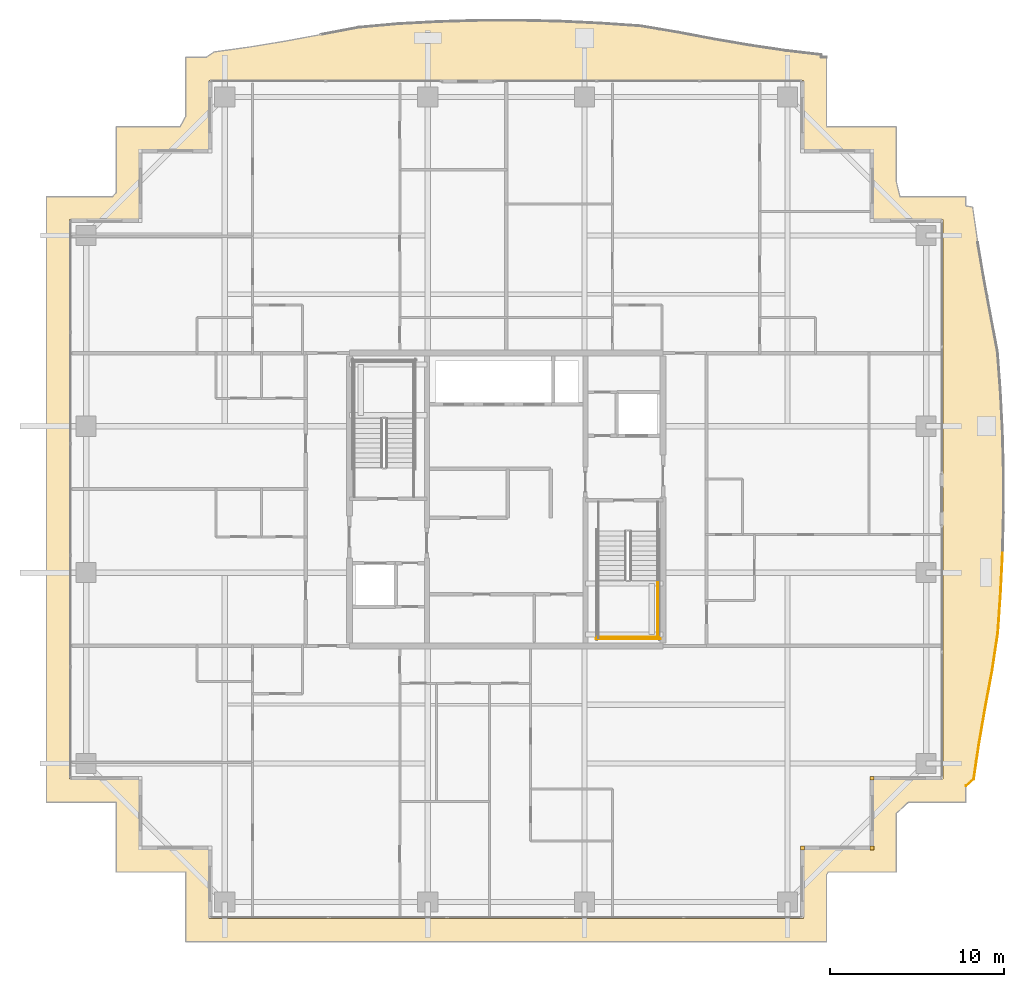
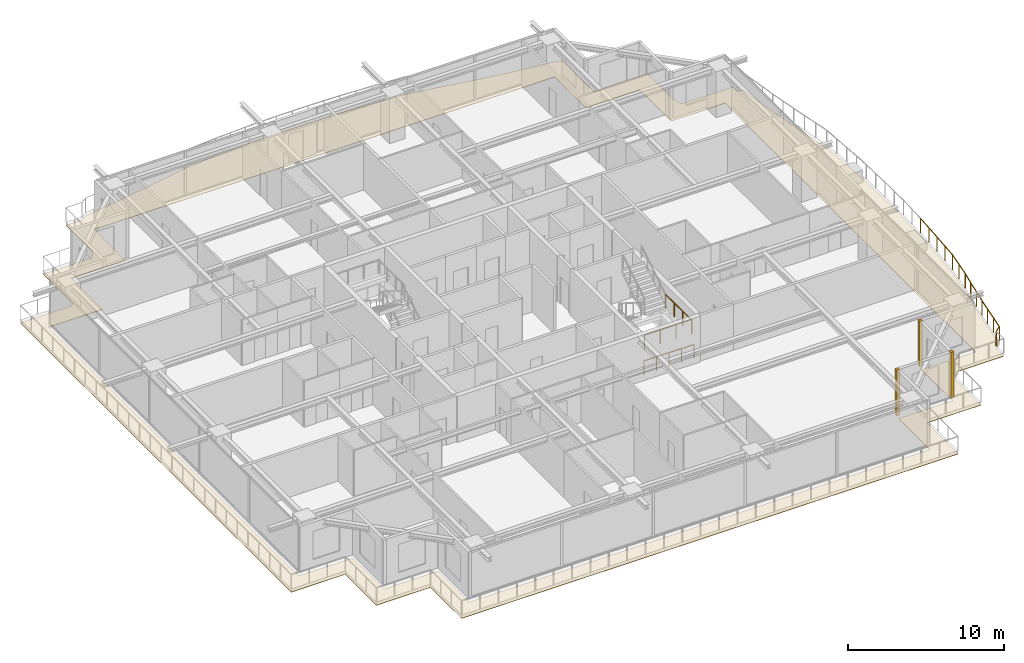
# One storey, part 35 of 37: 4 coverings, 4 railings.
"""IFC4 building model written with IfcOpenShell, lengths in metres."""

from ifc_helpers import new_model, si_unit, direction, frame, origin, origin_2d, place, context, subcontext, project, spatial, polyline, rectangle, circle, outline, extrude, source, transform, mapped, material, layer, layer_set, type_object, element, save


model = new_model("IFC4")

# Units and contexts
model_context = context("Model", 3, precision=1e-05, world=origin(), true_north=direction((0.0, 1.0)))
body_context = subcontext(model_context, "Body", "Model", "MODEL_VIEW")
ifc_project = project(units=[si_unit("LENGTHUNIT", "METRE"), si_unit("AREAUNIT", "SQUARE_METRE"), si_unit("VOLUMEUNIT", "CUBIC_METRE"), si_unit("PLANEANGLEUNIT", "RADIAN"), si_unit("MASSUNIT", "GRAM", prefix="KILO")], contexts=[model_context])

# Site, building, storey
site_placement = place(None, origin())
site = spatial("IfcSite", under=ifc_project, at=site_placement, CompositionType="ELEMENT")
building_placement = place(site_placement, origin())
building = spatial("IfcBuilding", under=site, at=building_placement, Name="Serunith Strait Residences", CompositionType="ELEMENT")
storey_placement = place(building_placement, frame((0.0, 0.0, 233.550048828125)))
storey = spatial("IfcBuildingStorey", under=building, at=storey_placement, Name="L58", CompositionType="ELEMENT", Elevation=233.550048828125)

# Covering
ifc_material_1 = material(Name="Golden Teak Exterior Timber Boarding", Category="wood")
ifc_layer_1 = layer(ifc_material_1, 0.034912109375, Name="Golden Teak Exterior Timber Boarding")
ifc_layer_set_1 = layer_set([ifc_layer_1], Name="Golden Teak Exterior Timber Boarding")
covering_type_1 = type_object("IfcCoveringType", Name="COV-TEAK-SOFFIT", PredefinedType="CEILING", material=ifc_layer_set_1)
covering_placement = place(storey_placement, frame((0.0, 0.0, -0.324951171875)))
element("IfcCovering", 1, at=covering_placement, inside=storey, type_object=covering_type_1, Name="L58 Golden-Teak Balcony Soffit Lining", PredefinedType="CEILING", context=body_context, shape_type="SweptSolid", body=[
    extrude(outline(polyline([(10.02001953125, 46.580078125), (13.681884765625, 46.580078125), (14.02001953125, 47.19189453125), (14.02001953125, 50.580078125), (15.205810546875, 50.580078125), (15.63671875, 50.8798828125), (17.662353515625, 51.159912109375), (19.7080078125, 51.497314453125), (21.791748046875, 51.882568359375), (23.93408203125, 52.290771484375), (26.192626953125, 52.493408203125), (28.497314453125, 52.614990234375), (30.825439453125, 52.682861328125), (33.16357421875, 52.68994140625), (35.49609375, 52.635986328125), (37.808349609375, 52.5263671875), (40.089111328125, 52.37158203125), (42.265625, 52.0048828125), (44.36669921875, 51.609619140625), (46.42333984375, 51.256103515625), (48.45458984375, 50.958740234375), (50.4755859375, 50.718505859375), (50.474609375, 50.580078125), (50.780029296875, 50.580078125), (50.780029296875, 46.580078125), (54.780029296875, 46.580078125), (54.780029296875, 43.459228515625), (54.9970703125, 42.580078125), (58.780029296875, 42.580078125), (58.780029296875, 42.039794921875), (59.168212890625, 41.974853515625), (59.460205078125, 39.94775390625), (59.80615234375, 37.898193359375), (60.194580078125, 35.80810546875), (60.598876953125, 33.65966796875), (60.764892578125, 31.39306640625), (60.881591796875, 29.092529296875), (60.943115234375, 26.77001953125), (60.943603515625, 24.438720703125), (60.883544921875, 22.1142578125), (60.769287109375, 19.809814453125), (60.611572265625, 17.535888671875), (60.2802734375, 15.34912109375), (59.886474609375, 13.243408203125), (59.530517578125, 11.1826171875), (59.226806640625, 9.148681640625), (58.780029296875, 8.7705078125), (58.780029296875, 7.820068359375), (55.471435546875, 7.820068359375), (54.780029296875, 7.172607421875), (54.780029296875, 3.820068359375), (50.881103515625, 3.820068359375), (50.780029296875, 3.665283203125), (50.780029296875, -0.179931640625), (14.02001953125, -0.179931640625), (14.02001953125, 3.820068359375), (10.02001953125, 3.820068359375), (10.02001953125, 7.820068359375), (6.02001953125, 7.820068359375), (6.02001953125, 42.580078125), (9.824951171875, 42.580078125), (10.02001953125, 42.802001953125), (10.02001953125, 46.580078125)]), holes=[polyline([(49.455078125, 1.14501953125), (49.455078125, 5.14501953125), (53.455078125, 5.14501953125), (53.455078125, 9.14501953125), (57.455078125, 9.14501953125), (57.455078125, 41.2548828125), (53.455078125, 41.2548828125), (53.455078125, 45.2548828125), (49.455078125, 45.2548828125), (49.455078125, 49.2548828125), (15.344970703125, 49.2548828125), (15.344970703125, 45.2548828125), (11.344970703125, 45.2548828125), (11.344970703125, 41.2548828125), (7.344970703125, 41.2548828125), (7.344970703125, 9.14501953125), (11.344970703125, 9.14501953125), (11.344970703125, 5.14501953125), (15.344970703125, 5.14501953125), (15.344970703125, 1.14501953125), (49.455078125, 1.14501953125)])]), origin(), (0.0, 0.0, 1.0), 0.034912109375),
])

# Railings
ifc_material_2 = material(Name="Stainless Steel & Laminated Glass Balustrade", Category="steel")
railing_type_1 = type_object("IfcRailingType", Name="RLG-BALC-1150", PredefinedType="BALUSTRADE", material=ifc_material_2)
railing_1_placement = place(storey_placement, frame((60.883544921875, 22.1142578125, -0.050048828125)))
element("IfcRailing", 2, at=railing_1_placement, inside=storey, type_object=railing_type_1, Name="L58 Swirling Balcony Perimeter Balustrade 6", PredefinedType="BALUSTRADE", context=body_context, shape_type="SweptSolid", body=[
    extrude(circle(Radius=0.02392578125, at=origin_2d()), frame((0.0, -0.001953125, 1.1259765625), z_axis=(-0.049520691791, -0.998773097898, 0.0), x_axis=(0.998773097898, -0.049520691791, 0.0)), (0.0, 0.0, 1.0), 2.30322265625),
    extrude(circle(Radius=0.02392578125, at=origin_2d()), frame((-0.114501953125, -2.306396484375, 1.1259765625), z_axis=(-0.069191731121, -0.997603380279, 0.0), x_axis=(0.997603380279, -0.069191731121, 0.0)), (0.0, 0.0, 1.0), 2.275390625),
    extrude(circle(Radius=0.02392578125, at=origin_2d()), frame((-0.272216796875, -4.580322265625, 1.1259765625), z_axis=(-0.149792299697, -0.988717485914, 0.0), x_axis=(0.988717485914, -0.149792299697, 0.0)), (0.0, 0.0, 1.0), 2.207763671875),
    extrude(circle(Radius=0.02392578125, at=origin_2d()), frame((-0.603759765625, -6.76708984375, 1.1259765625), z_axis=(-0.183827489222, -0.982958521102, 0.0), x_axis=(0.982958521102, -0.183827489222, 0.0)), (0.0, 0.0, 1.0), 2.13818359375),
    extrude(circle(Radius=0.02392578125, at=origin_2d()), frame((-0.997314453125, -8.872802734375, 1.1259765625), z_axis=(-0.170207927013, -0.98540817004, 0.0), x_axis=(0.98540817004, -0.170207927013, 0.0)), (0.0, 0.0, 1.0), 2.08740234375),
    extrude(circle(Radius=0.02392578125, at=origin_2d()), frame((-1.353271484375, -10.93359375, 1.1259765625), z_axis=(-0.14768442692, -0.989034534304, 0.0), x_axis=(0.989034534304, -0.14768442692, 0.0)), (0.0, 0.0, 1.0), 2.052490234375),
    extrude(circle(Radius=0.02392578125, at=origin_2d()), frame((-1.658203125, -12.966796875, 1.1259765625), z_axis=(-0.763275529443, -0.646073112081, 0.0), x_axis=(0.646073112081, -0.763275529443, 0.0)), (0.0, 0.0, 1.0), 0.581298828125),
    extrude(circle(Radius=0.02099609375, at=origin_2d()), origin(), (0.0, 0.0, 1.0), 1.099853515625),
    extrude(circle(Radius=0.02099609375, at=origin_2d()), frame((-0.05712890625, -1.15234375, 0.0)), (0.0, 0.0, 1.0), 1.099853515625),
    extrude(circle(Radius=0.02099609375, at=origin_2d()), frame((-0.1142578125, -2.304443359375, 0.0)), (0.0, 0.0, 1.0), 1.099853515625),
    extrude(circle(Radius=0.02099609375, at=origin_2d()), frame((-0.193115234375, -3.44140625, 0.0)), (0.0, 0.0, 1.0), 1.099853515625),
    extrude(circle(Radius=0.02099609375, at=origin_2d()), frame((-0.27197265625, -4.578369140625, 0.0)), (0.0, 0.0, 1.0), 1.099853515625),
    extrude(circle(Radius=0.02099609375, at=origin_2d()), frame((-0.4375, -5.671875, 0.0)), (0.0, 0.0, 1.0), 1.099853515625),
    extrude(circle(Radius=0.02099609375, at=origin_2d()), frame((-0.603271484375, -6.76513671875, 0.0)), (0.0, 0.0, 1.0), 1.099853515625),
    extrude(circle(Radius=0.02099609375, at=origin_2d()), frame((-0.80029296875, -7.81787109375, 0.0)), (0.0, 0.0, 1.0), 1.099853515625),
    extrude(circle(Radius=0.02099609375, at=origin_2d()), frame((-0.9970703125, -8.870849609375, 0.0)), (0.0, 0.0, 1.0), 1.099853515625),
    extrude(circle(Radius=0.02099609375, at=origin_2d()), frame((-1.175048828125, -9.9013671875, 0.0)), (0.0, 0.0, 1.0), 1.099853515625),
    extrude(circle(Radius=0.02099609375, at=origin_2d()), frame((-1.35302734375, -10.931640625, 0.0)), (0.0, 0.0, 1.0), 1.099853515625),
    extrude(circle(Radius=0.02099609375, at=origin_2d()), frame((-1.5048828125, -11.94873046875, 0.0)), (0.0, 0.0, 1.0), 1.099853515625),
    extrude(circle(Radius=0.02099609375, at=origin_2d()), frame((-1.65673828125, -12.965576171875, 0.0)), (0.0, 0.0, 1.0), 1.099853515625),
    extrude(circle(Radius=0.02099609375, at=origin_2d()), frame((-2.103515625, -13.34375, 0.0)), (0.0, 0.0, 1.0), 1.099853515625),
])
ifc_material_3 = material(Name="Brushed stainless steel 316L", Category="steel")
railing_type_2 = type_object("IfcRailingType", Name="RLG-STAIR-GUARD", PredefinedType="BALUSTRADE", material=ifc_material_3)
railing_2_placement = place(storey_placement, frame((41.10009765625, 20.570068359375, 1.925048828125)))
element("IfcRailing", 3, at=railing_2_placement, inside=storey, type_object=railing_type_2, Name="L58 ST-2 stair guard 4", PredefinedType="BALUSTRADE", context=body_context, shape_type="SweptSolid", body=[
    extrude(circle(Radius=0.02392578125, at=origin_2d()), frame((0.0, -0.001953125, 1.076171875), z_axis=(0.0, -1.0, 0.0), x_axis=(1.0, 0.0, 0.0)), (0.0, 0.0, 1.0), 3.316162109375),
    extrude(circle(Radius=0.02099609375, at=origin_2d()), origin(), (0.0, 0.0, 1.0), 1.050048828125),
    extrude(circle(Radius=0.02099609375, at=origin_2d()), frame((0.0, -1.106689453125, 0.0)), (0.0, 0.0, 1.0), 1.050048828125),
    extrude(circle(Radius=0.02099609375, at=origin_2d()), frame((0.0, -2.21337890625, 0.0)), (0.0, 0.0, 1.0), 1.050048828125),
    extrude(circle(Radius=0.02099609375, at=origin_2d()), frame((0.0, -3.320068359375, 0.0)), (0.0, 0.0, 1.0), 1.050048828125),
])
railing_3_placement = place(storey_placement, frame((37.64990234375, 17.300048828125, 1.925048828125)))
element("IfcRailing", 4, at=railing_3_placement, inside=storey, type_object=railing_type_2, Name="L58 ST-2 stair guard 5", PredefinedType="BALUSTRADE", context=body_context, shape_type="SweptSolid", body=[
    extrude(circle(Radius=0.02392578125, at=origin_2d()), frame((0.001953125, 0.0, 1.076171875), z_axis=(1.0, 0.0, 0.0), x_axis=(0.0, 1.0, 0.0)), (0.0, 0.0, 1.0), 3.49609375),
    extrude(circle(Radius=0.02099609375, at=origin_2d()), origin(), (0.0, 0.0, 1.0), 1.050048828125),
    extrude(circle(Radius=0.02099609375, at=origin_2d()), frame((1.166748046875, 0.0, 0.0)), (0.0, 0.0, 1.0), 1.050048828125),
    extrude(circle(Radius=0.02099609375, at=origin_2d()), frame((2.333251953125, 0.0, 0.0)), (0.0, 0.0, 1.0), 1.050048828125),
    extrude(circle(Radius=0.02099609375, at=origin_2d()), frame((3.5, 0.0, 0.0)), (0.0, 0.0, 1.0), 1.050048828125),
])
railing_4_placement = place(storey_placement, frame((37.550048828125, 17.199951171875, 0.0)))
element("IfcRailing", 5, at=railing_4_placement, inside=storey, type_object=railing_type_2, Name="L58 ST-2 stair guard 12", PredefinedType="BALUSTRADE", context=body_context, shape_type="SweptSolid", body=[
    extrude(circle(Radius=0.02392578125, at=origin_2d()), frame((0.001953125, 0.0, 1.076171875), z_axis=(1.0, 0.0, 0.0), x_axis=(0.0, 1.0, 0.0)), (0.0, 0.0, 1.0), 3.696044921875),
    extrude(circle(Radius=0.02099609375, at=origin_2d()), origin(), (0.0, 0.0, 1.0), 1.050048828125),
    extrude(circle(Radius=0.02099609375, at=origin_2d()), frame((0.925048828125, 0.0, 0.0)), (0.0, 0.0, 1.0), 1.050048828125),
    extrude(circle(Radius=0.02099609375, at=origin_2d()), frame((1.85009765625, 0.0, 0.0)), (0.0, 0.0, 1.0), 1.050048828125),
    extrude(circle(Radius=0.02099609375, at=origin_2d()), frame((2.77490234375, 0.0, 0.0)), (0.0, 0.0, 1.0), 1.050048828125),
    extrude(circle(Radius=0.02099609375, at=origin_2d()), frame((3.699951171875, 0.0, 0.0)), (0.0, 0.0, 1.0), 1.050048828125),
])

# Coverings
ifc_material_4 = material(Name="Pale-Champagne Anodised Aluminium", Category="aluminium")
ifc_layer_2 = layer(ifc_material_4, 0.219970703125, Name="Pale-Champagne Anodised Aluminium")
ifc_layer_set_2 = layer_set([ifc_layer_2], Name="Pale-Champagne Anodised Aluminium")
covering_type_2 = type_object("IfcCoveringType", Name="COV-CORN-TRIM", PredefinedType="CLADDING", material=ifc_layer_set_2)
shared_shape = source(origin(), body_context, "Body", "SweptSolid", [
    extrude(rectangle(XDim=0.221923828125, YDim=0.221923828125, at=origin_2d()), origin(), (0.0, 0.0, 1.0), 3.574951171875),
])
for number, where, z_axis, x_axis, name in (
    (6, (49.39990234375, 5.199951171875, 0.0), (0.0, 0.0, 1.0), (1.0, 0.0, 0.0), "L58 Girih Serrated Corner Trim Post 02"),
    (7, (53.39990234375, 5.199951171875, 0.0), (0.0, 0.0, 1.0), (1.0, 0.0, 0.0), "L58 Girih Serrated Corner Trim Post 03"),
    (8, (53.39990234375, 9.199951171875, 0.0), (0.0, 0.0, 1.0), (1.0, 0.0, 0.0), "L58 Girih Serrated Corner Trim Post 04"),
):
    element("IfcCovering", number, at=place(storey_placement, frame(where, z_axis=z_axis, x_axis=x_axis)), inside=storey, type_object=covering_type_2, Name=name, PredefinedType="CLADDING", context=body_context, shape_type="MappedRepresentation", body=[
        mapped(shared_shape, transform((0.0, 0.0, 0.0), scale=1.0)),
    ])

save(model, "model.ifc")
